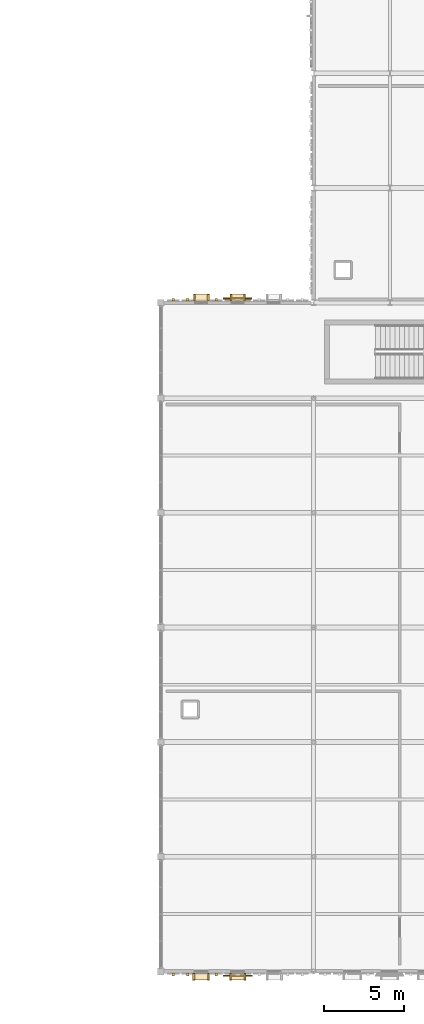
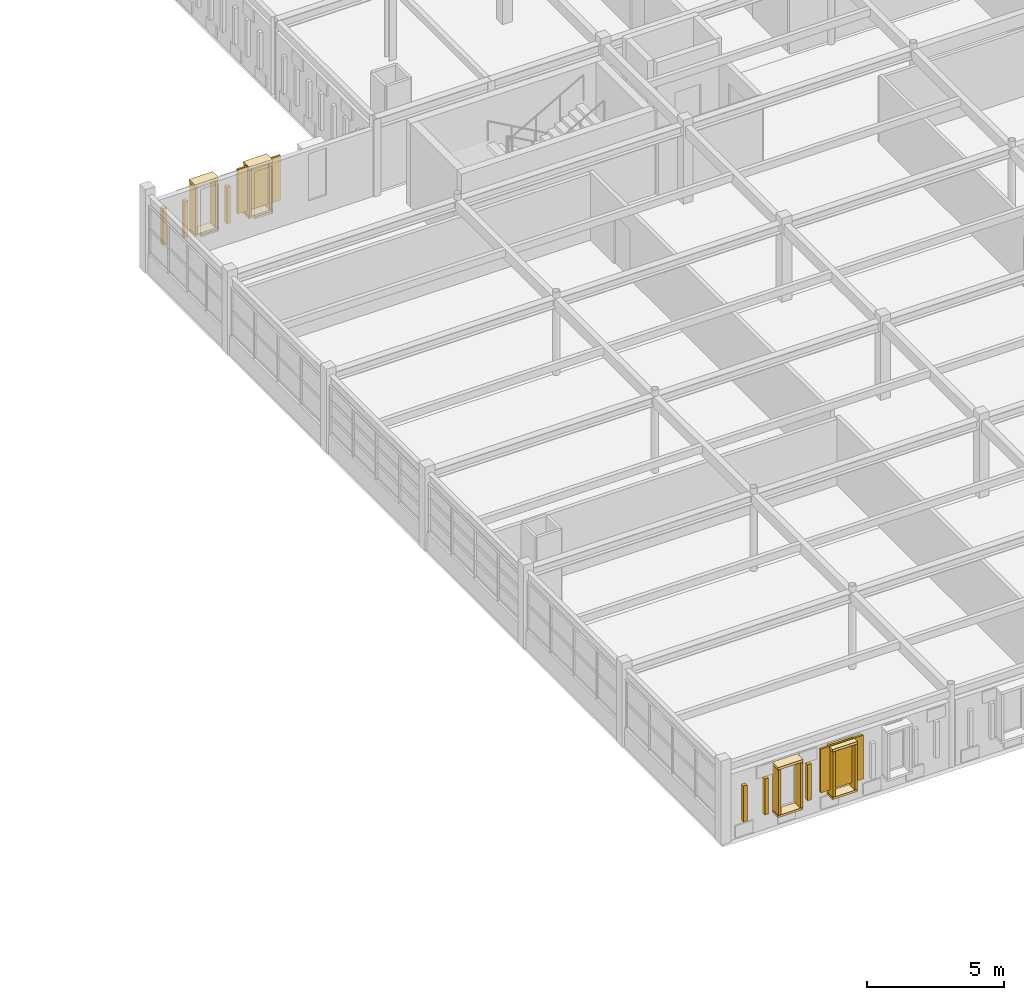
# One storey, part 36 of 46: 22 coverings, 2 shading devices.
"""IFC4 building model written with IfcOpenShell, lengths in metres."""

from ifc_helpers import new_model, si_unit, direction, frame, origin, origin_2d, place, context, subcontext, project, spatial, rectangle, extrude, material, layer, layer_set, type_object, element, save


model = new_model("IFC4")

# Units and contexts
model_context = context("Model", 3, precision=1e-05, world=origin(), true_north=direction((0.0, 1.0)))
body_context = subcontext(model_context, "Body", "Model", "MODEL_VIEW")
ifc_project = project(units=[si_unit("LENGTHUNIT", "METRE"), si_unit("AREAUNIT", "SQUARE_METRE"), si_unit("VOLUMEUNIT", "CUBIC_METRE"), si_unit("PLANEANGLEUNIT", "RADIAN"), si_unit("MASSUNIT", "GRAM", prefix="KILO")], contexts=[model_context])

# Site, building, storey
site_placement = place(None, origin())
site = spatial("IfcSite", under=ifc_project, at=site_placement, CompositionType="ELEMENT")
building_placement = place(site_placement, origin())
building = spatial("IfcBuilding", under=site, at=building_placement, Name="Nzembalo Square Collegiate School", CompositionType="ELEMENT")
storey_placement = place(building_placement, frame((0.0, 0.0, 17.340087890625)))
storey = spatial("IfcBuildingStorey", under=building, at=storey_placement, Name="L04", CompositionType="ELEMENT", Elevation=17.340087890625)

# Coverings
ifc_material_1 = material(Name="Glazed ochre ceramic lancet rib")
ifc_layer_1 = layer(ifc_material_1, 0.159912109375, Name="Glazed ochre ceramic lancet rib")
ifc_layer_set_1 = layer_set([ifc_layer_1], Name="Glazed ochre ceramic lancet rib")
covering_type_1 = type_object("IfcCoveringType", Name="CL02", PredefinedType="CLADDING", material=ifc_layer_set_1)
for number, where, z_axis, x_axis, name in (
    (1, (131.580078125, 50.577392578125, 0.760009765625), (0.0, 0.0, 1.0), (1.0, 0.0, 0.0), "Gothic ceramic rib CL02-X0241-0"),
    (2, (132.47998046875, 50.577392578125, 0.760009765625), (0.0, 0.0, 1.0), (1.0, 0.0, 0.0), "Gothic ceramic rib CL02-X0241-1"),
    (3, (134.280029296875, 50.577392578125, 0.760009765625), (0.0, 0.0, 1.0), (1.0, 0.0, 0.0), "Gothic ceramic rib CL02-X0241-3"),
):
    element("IfcCovering", number, at=place(storey_placement, frame(where, z_axis=z_axis, x_axis=x_axis)), inside=storey, type_object=covering_type_1, Name=name, PredefinedType="CLADDING", context=body_context, shape_type="SweptSolid", body=[
        extrude(rectangle(XDim=0.159912109375, YDim=0.159912109375, at=origin_2d()), origin(), (0.0, 0.0, 1.0), 1.62890625),
    ])
for number, where, z_axis, x_axis, name in (
    (4, (131.586669921875, 8.20751953125, 0.759765625), (0.0, 0.0, 1.0), (1.0, 0.0, 0.0), "Gothic ceramic rib CL02-X0260-0"),
    (5, (132.48681640625, 8.20751953125, 0.759765625), (0.0, 0.0, 1.0), (1.0, 0.0, 0.0), "Gothic ceramic rib CL02-X0260-1"),
    (6, (134.28662109375, 8.20751953125, 0.759765625), (0.0, 0.0, 1.0), (1.0, 0.0, 0.0), "Gothic ceramic rib CL02-X0260-3"),
):
    element("IfcCovering", number, at=place(storey_placement, frame(where, z_axis=z_axis, x_axis=x_axis)), inside=storey, type_object=covering_type_1, Name=name, PredefinedType="CLADDING", context=body_context, shape_type="SweptSolid", body=[
        extrude(rectangle(XDim=0.159912109375, YDim=0.159912109375, at=origin_2d()), origin(), (0.0, 0.0, 1.0), 1.59912109375),
    ])
ifc_material_2 = material(Name="Glazed celadon ceramic window frame")
ifc_layer_2 = layer(ifc_material_2, 0.419921875, Name="Glazed celadon ceramic window frame")
ifc_layer_set_2 = layer_set([ifc_layer_2], Name="Glazed celadon ceramic window frame")
covering_type_2 = type_object("IfcCoveringType", Name="WF01", PredefinedType="CLADDING", material=ifc_layer_set_2)
covering_1_placement = place(storey_placement, frame((133.353515625, 50.71240234375, 2.85498046875), z_axis=(0.0, 0.0, 1.0), x_axis=(1.0, 0.0, 0.0)))
element("IfcCovering", 7, at=covering_1_placement, inside=storey, type_object=covering_type_2, Name="Deep lancet window hood WF01-0815", PredefinedType="CLADDING", context=body_context, shape_type="SweptSolid", body=[
    extrude(rectangle(XDim=0.989990234375, YDim=0.419921875, at=origin_2d()), origin(), (0.0, 0.0, 1.0), 0.110107421875),
])
covering_2_placement = place(storey_placement, frame((133.353515625, 50.71240234375, 0.65478515625), z_axis=(0.0, 0.0, 1.0), x_axis=(1.0, 0.0, 0.0)))
element("IfcCovering", 8, at=covering_2_placement, inside=storey, type_object=covering_type_2, Name="Deep lancet window sill WF01-0815", PredefinedType="CLADDING", context=body_context, shape_type="SweptSolid", body=[
    extrude(rectangle(XDim=0.989990234375, YDim=0.419921875, at=origin_2d()), origin(), (0.0, 0.0, 1.0), 0.090087890625),
])
for number, where, z_axis, x_axis, name in (
    (9, (132.923583984375, 50.71240234375, 0.749755859375), (0.0, 0.0, 1.0), (1.0, 0.0, 0.0), "Deep lancet window jamb WF01-0815L"),
    (10, (133.783447265625, 50.71240234375, 0.749755859375), (0.0, 0.0, 1.0), (1.0, 0.0, 0.0), "Deep lancet window jamb WF01-0815R"),
):
    element("IfcCovering", number, at=place(storey_placement, frame(where, z_axis=z_axis, x_axis=x_axis)), inside=storey, type_object=covering_type_2, Name=name, PredefinedType="CLADDING", context=body_context, shape_type="SweptSolid", body=[
        extrude(rectangle(XDim=0.10009765625, YDim=0.419921875, at=origin_2d()), origin(), (0.0, 0.0, 1.0), 2.10009765625),
    ])
covering_3_placement = place(storey_placement, frame((135.6298828125, 50.71240234375, 2.85498046875), z_axis=(0.0, 0.0, 1.0), x_axis=(1.0, 0.0, 0.0)))
element("IfcCovering", 11, at=covering_3_placement, inside=storey, type_object=covering_type_2, Name="Deep lancet window hood WF01-0816", PredefinedType="CLADDING", context=body_context, shape_type="SweptSolid", body=[
    extrude(rectangle(XDim=0.989990234375, YDim=0.419921875, at=origin_2d()), origin(), (0.0, 0.0, 1.0), 0.110107421875),
])
covering_4_placement = place(storey_placement, frame((135.6298828125, 50.71240234375, 0.65478515625), z_axis=(0.0, 0.0, 1.0), x_axis=(1.0, 0.0, 0.0)))
element("IfcCovering", 12, at=covering_4_placement, inside=storey, type_object=covering_type_2, Name="Deep lancet window sill WF01-0816", PredefinedType="CLADDING", context=body_context, shape_type="SweptSolid", body=[
    extrude(rectangle(XDim=0.989990234375, YDim=0.419921875, at=origin_2d()), origin(), (0.0, 0.0, 1.0), 0.090087890625),
])
for number, where, z_axis, x_axis, name in (
    (13, (135.199951171875, 50.71240234375, 0.749755859375), (0.0, 0.0, 1.0), (1.0, 0.0, 0.0), "Deep lancet window jamb WF01-0816L"),
    (14, (136.06005859375, 50.71240234375, 0.749755859375), (0.0, 0.0, 1.0), (1.0, 0.0, 0.0), "Deep lancet window jamb WF01-0816R"),
):
    element("IfcCovering", number, at=place(storey_placement, frame(where, z_axis=z_axis, x_axis=x_axis)), inside=storey, type_object=covering_type_2, Name=name, PredefinedType="CLADDING", context=body_context, shape_type="SweptSolid", body=[
        extrude(rectangle(XDim=0.10009765625, YDim=0.419921875, at=origin_2d()), origin(), (0.0, 0.0, 1.0), 2.10009765625),
    ])
covering_5_placement = place(storey_placement, frame((133.33935546875, 8.072509765625, 2.77490234375), z_axis=(0.0, 0.0, 1.0), x_axis=(1.0, 0.0, 0.0)))
element("IfcCovering", 15, at=covering_5_placement, inside=storey, type_object=covering_type_2, Name="Deep lancet window hood WF01-0925", PredefinedType="CLADDING", context=body_context, shape_type="SweptSolid", body=[
    extrude(rectangle(XDim=1.06005859375, YDim=0.419921875, at=origin_2d()), origin(), (0.0, 0.0, 1.0), 0.110107421875),
])
covering_6_placement = place(storey_placement, frame((133.33935546875, 8.072509765625, 0.65478515625), z_axis=(0.0, 0.0, 1.0), x_axis=(1.0, 0.0, 0.0)))
element("IfcCovering", 16, at=covering_6_placement, inside=storey, type_object=covering_type_2, Name="Deep lancet window sill WF01-0925", PredefinedType="CLADDING", context=body_context, shape_type="SweptSolid", body=[
    extrude(rectangle(XDim=1.06005859375, YDim=0.419921875, at=origin_2d()), origin(), (0.0, 0.0, 1.0), 0.090087890625),
])
for number, where, z_axis, x_axis, name in (
    (17, (132.87451171875, 8.072509765625, 0.75), (0.0, 0.0, 1.0), (1.0, 0.0, 0.0), "Deep lancet window jamb WF01-0925L"),
    (18, (133.804443359375, 8.072509765625, 0.75), (0.0, 0.0, 1.0), (1.0, 0.0, 0.0), "Deep lancet window jamb WF01-0925R"),
):
    element("IfcCovering", number, at=place(storey_placement, frame(where, z_axis=z_axis, x_axis=x_axis)), inside=storey, type_object=covering_type_2, Name=name, PredefinedType="CLADDING", context=body_context, shape_type="SweptSolid", body=[
        extrude(rectangle(XDim=0.10009765625, YDim=0.419921875, at=origin_2d()), origin(), (0.0, 0.0, 1.0), 2.02001953125),
    ])
covering_7_placement = place(storey_placement, frame((135.63671875, 8.072509765625, 2.77490234375), z_axis=(0.0, 0.0, 1.0), x_axis=(1.0, 0.0, 0.0)))
element("IfcCovering", 19, at=covering_7_placement, inside=storey, type_object=covering_type_2, Name="Deep lancet window hood WF01-0926", PredefinedType="CLADDING", context=body_context, shape_type="SweptSolid", body=[
    extrude(rectangle(XDim=1.06005859375, YDim=0.419921875, at=origin_2d()), origin(), (0.0, 0.0, 1.0), 0.110107421875),
])
covering_8_placement = place(storey_placement, frame((135.63671875, 8.072509765625, 0.65478515625), z_axis=(0.0, 0.0, 1.0), x_axis=(1.0, 0.0, 0.0)))
element("IfcCovering", 20, at=covering_8_placement, inside=storey, type_object=covering_type_2, Name="Deep lancet window sill WF01-0926", PredefinedType="CLADDING", context=body_context, shape_type="SweptSolid", body=[
    extrude(rectangle(XDim=1.06005859375, YDim=0.419921875, at=origin_2d()), origin(), (0.0, 0.0, 1.0), 0.090087890625),
])
for number, where, z_axis, x_axis, name in (
    (21, (135.171630859375, 8.072509765625, 0.75), (0.0, 0.0, 1.0), (1.0, 0.0, 0.0), "Deep lancet window jamb WF01-0926L"),
    (22, (136.101806640625, 8.072509765625, 0.75), (0.0, 0.0, 1.0), (1.0, 0.0, 0.0), "Deep lancet window jamb WF01-0926R"),
):
    element("IfcCovering", number, at=place(storey_placement, frame(where, z_axis=z_axis, x_axis=x_axis)), inside=storey, type_object=covering_type_2, Name=name, PredefinedType="CLADDING", context=body_context, shape_type="SweptSolid", body=[
        extrude(rectangle(XDim=0.10009765625, YDim=0.419921875, at=origin_2d()), origin(), (0.0, 0.0, 1.0), 2.02001953125),
    ])

# Shading devices
ifc_material_3 = material(Name="Glazed cobalt ceramic lancet screen")
ifc_layer_3 = layer(ifc_material_3, 0.080078125, Name="Glazed cobalt ceramic lancet screen")
ifc_layer_set_3 = layer_set([ifc_layer_3], Name="Glazed cobalt ceramic lancet screen")
shading_device_type = type_object("IfcShadingDeviceType", Name="SC01", PredefinedType="USERDEFINED", material=ifc_layer_set_3)
shading_device_1_placement = place(storey_placement, frame((135.6298828125, 50.657470703125, 0.949951171875), z_axis=(0.0, 0.0, 1.0), x_axis=(1.0, 0.0, 0.0)))
element("IfcShadingDevice", 23, at=shading_device_1_placement, inside=storey, type_object=shading_device_type, Name="Ceramic lancet screen SC01-027", ObjectType="SCREEN", PredefinedType="USERDEFINED", context=body_context, shape_type="SweptSolid", body=[
    extrude(rectangle(XDim=1.800048828125, YDim=0.080078125, at=origin_2d()), origin(), (0.0, 0.0, 1.0), 1.97900390625),
])
shading_device_2_placement = place(storey_placement, frame((135.63671875, 8.12744140625, 0.94970703125), z_axis=(0.0, 0.0, 1.0), x_axis=(1.0, 0.0, 0.0)))
element("IfcShadingDevice", 24, at=shading_device_2_placement, inside=storey, type_object=shading_device_type, Name="Ceramic lancet screen SC01-029", ObjectType="SCREEN", PredefinedType="USERDEFINED", context=body_context, shape_type="SweptSolid", body=[
    extrude(rectangle(XDim=1.800048828125, YDim=0.080078125, at=origin_2d()), origin(), (0.0, 0.0, 1.0), 1.948974609375),
])

save(model, "model.ifc")
